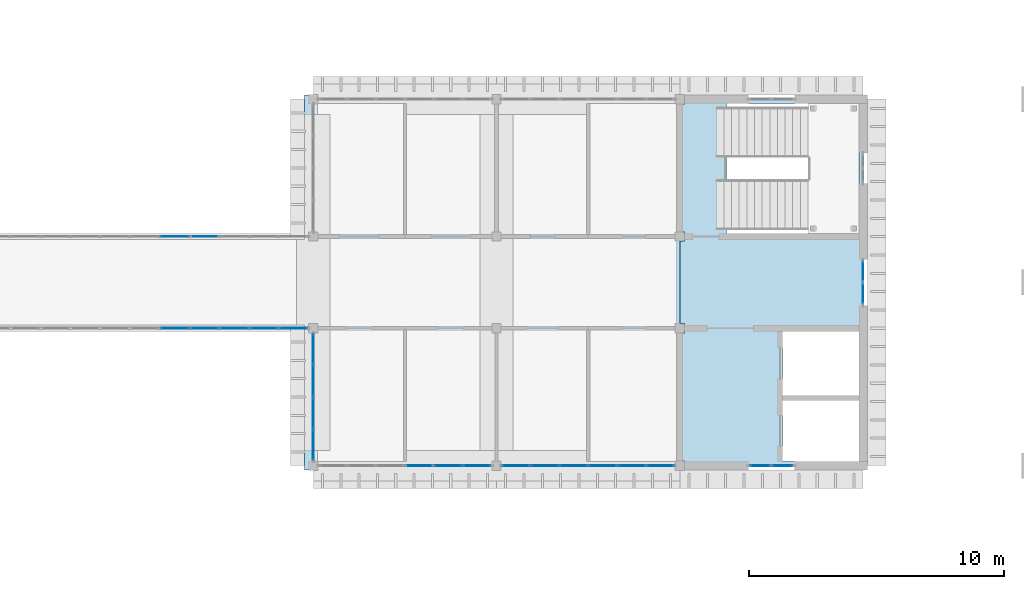
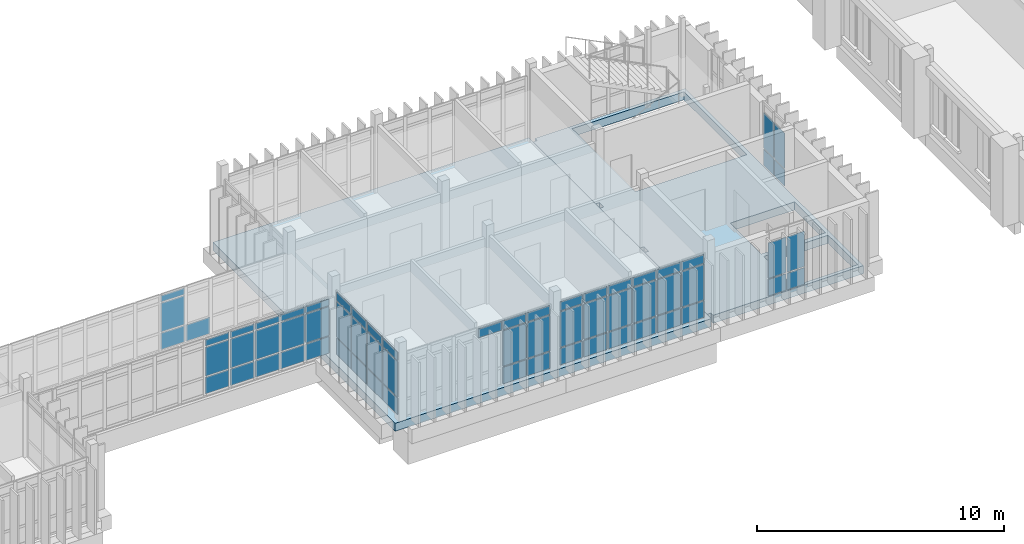
# One storey, part 33 of 69: 64 plates, 2 slabs, 7 elements without a shape of their own.
"""IFC4 building model written with IfcOpenShell, lengths in metres."""

import ifcopenshell
import ifcopenshell.guid

model = None  # the IFC model being written
_history = None  # IfcOwnerHistory: only IFC2X3 demands one
_inside = {}  # id of a spatial element -> (the spatial element, [elements in it])
_under = {}  # id of a project, library or spatial element -> (it, [spatial elements below it])
_declared = {}  # id of a project -> (the project, [libraries it declares])
_typed = {}  # id of a type object -> (the type object, [elements of that type])
_made_of = {}  # id of a material, layer set ... -> (it, [elements and type objects made of it])


def new_model(schema):
    """Start an empty IFC model of exactly this schema.

    Asked for "IFC4X3", IfcOpenShell would pick the latest addendum, in which some entities
    have other attributes; the version numbers below select the first issue.
    IFC2X3 requires an IfcOwnerHistory on every rooted entity: one is made here for all.
    """
    global model, _history
    if schema == "IFC4X3":
        model = ifcopenshell.file(schema_version=(4, 3, 0, 0))
    else:
        model = ifcopenshell.file(schema=schema)
    _inside.clear()
    _under.clear()
    _declared.clear()
    _typed.clear()
    _made_of.clear()
    _history = None
    if model.schema == "IFC2X3":
        org = make("IfcOrganization", Name="unknown")
        user = make(
            "IfcPersonAndOrganization",
            ThePerson=make("IfcPerson", FamilyName="unknown"),
            TheOrganization=org,
        )
        app = make(
            "IfcApplication",
            ApplicationDeveloper=org,
            Version="unknown",
            ApplicationFullName="unknown",
            ApplicationIdentifier="unknown",
        )
        _history = make(
            "IfcOwnerHistory",
            OwningUser=user,
            OwningApplication=app,
            ChangeAction="ADDED",
            CreationDate=0,
        )
    return model


def make(cls, **values):
    """One entity of the class cls with the attributes given. An attribute that is None is left unset."""
    return model.create_entity(
        cls, **{name: value for name, value in values.items() if value is not None}
    )


def rooted(cls, **values):
    """An entity with a GlobalId (a new one), such as an element, a storey or a relation."""
    return make(cls, GlobalId=ifcopenshell.guid.new(), OwnerHistory=_history, **values)


def si_unit(unit_type, name, prefix=None):
    """IfcSIUnit, for example si_unit("LENGTHUNIT", "METRE", prefix="MILLI")."""
    return make("IfcSIUnit", UnitType=unit_type, Prefix=prefix, Name=name)


def assignment(units):
    """IfcUnitAssignment: the units of a project."""
    return None if units is None else make("IfcUnitAssignment", Units=units)


def point(xyz):
    """IfcCartesianPoint."""
    return None if xyz is None else make("IfcCartesianPoint", Coordinates=xyz)


def direction(xyz):
    """IfcDirection."""
    return None if xyz is None else make("IfcDirection", DirectionRatios=xyz)


def frame(location, z_axis=None, x_axis=None):
    """IfcAxis2Placement3D, a coordinate frame: its origin and axes. An axis left out is left unset."""
    return make(
        "IfcAxis2Placement3D",
        Location=point(location),
        Axis=direction(z_axis),
        RefDirection=direction(x_axis),
    )


def frame_2d(location, x_axis=None):
    """IfcAxis2Placement2D, a coordinate frame in the plane: its origin and x axis."""
    return make(
        "IfcAxis2Placement2D", Location=point(location), RefDirection=direction(x_axis)
    )


def origin():
    """The frame at (0, 0, 0) with its axes left unset."""
    return frame((0.0, 0.0, 0.0))


def origin_2d():
    """The frame at (0, 0) in the plane with its x axis left unset."""
    return frame_2d((0.0, 0.0))


def place(relative_to, where):
    """IfcLocalPlacement: puts the frame where relative to a parent placement (None: the world)."""
    return make(
        "IfcLocalPlacement", PlacementRelTo=relative_to, RelativePlacement=where
    )


def context(
    kind, dimensions, precision=None, world=None, true_north=None, identifier=None
):
    """IfcGeometricRepresentationContext, for example the 3D "Model" context."""
    return make(
        "IfcGeometricRepresentationContext",
        ContextIdentifier=identifier,
        ContextType=kind,
        CoordinateSpaceDimension=dimensions,
        Precision=precision,
        WorldCoordinateSystem=world,
        TrueNorth=true_north,
    )


def subcontext(parent, identifier, kind, view, scale=None):
    """IfcGeometricRepresentationSubContext, for example "Body" below "Model"."""
    return make(
        "IfcGeometricRepresentationSubContext",
        ContextIdentifier=identifier,
        ContextType=kind,
        ParentContext=parent,
        TargetScale=scale,
        TargetView=view,
    )


def project(units=None, contexts=None):
    """IfcProject with its units and contexts."""
    return rooted(
        "IfcProject",
        Name="project",
        RepresentationContexts=contexts,
        UnitsInContext=assignment(units),
    )


def spatial(cls, under=None, at=None, **own):
    """A site, building, storey or space (cls), placed at a placement, below another one or the project."""
    s = rooted(cls, ObjectPlacement=at, **own)
    if under is not None:
        _under.setdefault(under.id(), (under, []))[1].append(s)
    return s


def polyline(points):
    """IfcPolyline through the points."""
    return make("IfcPolyline", Points=[point(p) for p in points])


def profile(cls, at=None, kind="AREA", **sizes):
    """A parametric profile (cls). Its sizes go by their IFC names, for example OverallWidth=200.0."""
    return make(cls, ProfileType=kind, Position=at, **sizes)


def rectangle(**sizes):
    """IfcRectangleProfileDef."""
    return profile("IfcRectangleProfileDef", **sizes)


def outline(outer, holes=None, kind="AREA"):
    """IfcArbitraryClosedProfileDef: a profile drawn as a closed curve; with holes, ...WithVoids."""
    if holes is None:
        return make("IfcArbitraryClosedProfileDef", ProfileType=kind, OuterCurve=outer)
    return make(
        "IfcArbitraryProfileDefWithVoids",
        ProfileType=kind,
        OuterCurve=outer,
        InnerCurves=holes,
    )


def extrude(swept, where, along, depth):
    """IfcExtrudedAreaSolid: the profile swept, set in the frame where, extruded along a direction by depth."""
    return make(
        "IfcExtrudedAreaSolid",
        SweptArea=swept,
        Position=where,
        ExtrudedDirection=direction(along),
        Depth=depth,
    )


def shape(context_of_items, identifier, shape_type, items):
    """IfcShapeRepresentation: the items that make up one representation, for example the "Body"."""
    return make(
        "IfcShapeRepresentation",
        ContextOfItems=context_of_items,
        RepresentationIdentifier=identifier,
        RepresentationType=shape_type,
        Items=items,
    )


def material(Name=None, Category=None):
    """IfcMaterial."""
    return make("IfcMaterial", Name=Name, Category=Category)


def layer(
    of_material, thickness, ventilated=None, Name=None, Category=None, Priority=None
):
    """IfcMaterialLayer: one layer of a wall or slab, of a material (None: an air gap)."""
    return make(
        "IfcMaterialLayer",
        Material=of_material,
        LayerThickness=thickness,
        IsVentilated=ventilated,
        Name=Name,
        Category=Category,
        Priority=Priority,
    )


def layer_set(layers, Name=None):
    """IfcMaterialLayerSet."""
    return make("IfcMaterialLayerSet", MaterialLayers=layers, LayerSetName=Name)


def made_of(thing, what):
    """Note that an element or type object is made of a material, layer set ...; save() writes the relation."""
    if what is not None:
        _made_of.setdefault(what.id(), (what, []))[1].append(thing)
    return thing


def type_object(cls, material=None, **own):
    """A type object (cls), such as IfcWallType, which elements share."""
    return made_of(rooted(cls, **own), material)


def element(
    cls,
    number,
    at=None,
    inside=None,
    cuts=None,
    type_object=None,
    material=None,
    context=None,
    identifier="Body",
    shape_type=None,
    held_by="IfcProductDefinitionShape",
    body=None,
    shapes=None,
    **own,
):
    """One element of the class cls, such as IfcWall. Its Tag is "e" and its number.

    at: its placement. inside: the storey or other place that contains it. cuts: it is an
    opening in that element (IfcRelVoidsElement). A single representation is given by context,
    identifier, shape_type and body (its items); several are given by shapes. held_by: the class
    of the entity that holds the representations. save() writes the other relations.
    """
    e = rooted(cls, Tag="e%d" % number, ObjectPlacement=at, **own)
    if body is not None:
        shapes = [shape(context, identifier, shape_type, body)]
    if shapes is not None:
        e.Representation = make(held_by, Representations=shapes)
    if inside is not None:
        _inside.setdefault(inside.id(), (inside, []))[1].append(e)
    if cuts is not None:
        rooted(
            "IfcRelVoidsElement", RelatingBuildingElement=cuts, RelatedOpeningElement=e
        )
    if type_object is not None:
        _typed.setdefault(type_object.id(), (type_object, []))[1].append(e)
    return made_of(e, material)


def aggregate(whole, parts):
    """IfcRelAggregates: a whole, such as a stair, and the parts it consists of."""
    return rooted("IfcRelAggregates", RelatingObject=whole, RelatedObjects=parts)


def save(model, path):
    """Write the relations noted so far, then the file.

    IfcRelAggregates (storeys below a building ...), IfcRelContainedInSpatialStructure (elements
    in a storey), IfcRelDefinesByType, IfcRelAssociatesMaterial and IfcRelDeclares: one each for
    every whole, place, type object, material and project.
    """
    for whole, parts in _under.values():
        aggregate(whole, parts)
    for where, things in _inside.values():
        rooted(
            "IfcRelContainedInSpatialStructure",
            RelatedElements=things,
            RelatingStructure=where,
        )
    for kind, things in _typed.values():
        rooted("IfcRelDefinesByType", RelatedObjects=things, RelatingType=kind)
    for what, things in _made_of.values():
        rooted("IfcRelAssociatesMaterial", RelatedObjects=things, RelatingMaterial=what)
    for by, libraries in _declared.values():
        rooted("IfcRelDeclares", RelatingContext=by, RelatedDefinitions=libraries)
    model.write(path)


model = new_model("IFC4")

# Units and contexts
model_context = context("Model", 3, precision=1e-05, world=origin(), true_north=direction((0.0, 1.0)))
body_context = subcontext(model_context, "Body", "Model", "MODEL_VIEW")
ifc_project = project(units=[si_unit("LENGTHUNIT", "METRE"), si_unit("AREAUNIT", "SQUARE_METRE"), si_unit("VOLUMEUNIT", "CUBIC_METRE"), si_unit("PLANEANGLEUNIT", "RADIAN"), si_unit("MASSUNIT", "GRAM", prefix="KILO")], contexts=[model_context])

# Site, building, storey
site_placement = place(None, origin())
site = spatial("IfcSite", under=ifc_project, at=site_placement, CompositionType="ELEMENT")
building_placement = place(site_placement, origin())
building = spatial("IfcBuilding", under=site, at=building_placement, Name="Mazhai Court Health Centre", CompositionType="ELEMENT")
storey_placement = place(building_placement, frame((0.0, 0.0, 6.300048828125)))
storey = spatial("IfcBuildingStorey", under=building, at=storey_placement, Name="L01", CompositionType="ELEMENT", Elevation=6.300048828125)

# Curtain wall, plates
ifc_material_1 = material(Name="Teak timber frame, glazed", Category="wood")
ifc_layer_1 = layer(ifc_material_1, 0.10009765625)
ifc_layer_set_1 = layer_set([ifc_layer_1], Name="CURTAIN WALL TIMBER 900")
curtain_wall_type_1 = type_object("IfcCurtainWallType", Name="CURTAIN WALL TIMBER 900", PredefinedType="NOTDEFINED", material=ifc_layer_set_1)
curtain_wall_1_placement = place(storey_placement, origin())
curtain_wall_1 = element("IfcCurtainWall", 1, at=curtain_wall_1_placement, inside=storey, type_object=curtain_wall_type_1, Name="CW-V4-L01-A7", PredefinedType="NOTDEFINED")
ifc_material_2 = material(Name="Glass IGU 28 mm", Category="glass")
ifc_layer_2 = layer(ifc_material_2, 0.028076171875)
ifc_layer_set_2 = layer_set([ifc_layer_2], Name="CW PANEL IGU 28")
plate_type = type_object("IfcPlateType", Name="CW PANEL IGU 28", PredefinedType="CURTAIN_PANEL", material=ifc_layer_set_2)
plate_1_placement = place(storey_placement, frame((125.43505859375, 13.39990234375, 0.059814453125), z_axis=(0.0, 0.0, 1.0), x_axis=(-1.0, 0.0, 0.0)))
plate_1 = element("IfcPlate", 2, at=plate_1_placement, type_object=plate_type, Name="CW panel 1.1", PredefinedType="CURTAIN_PANEL", context=body_context, shape_type="SweptSolid", body=[
    extrude(rectangle(XDim=0.81005859375, YDim=0.028076171875, at=origin_2d()), origin(), (0.0, 0.0, 1.0), 0.81005859375),
])
plate_2_placement = place(storey_placement, frame((125.43505859375, 13.39990234375, 0.93017578125), z_axis=(0.0, 0.0, 1.0), x_axis=(-1.0, 0.0, 0.0)))
plate_2 = element("IfcPlate", 3, at=plate_2_placement, type_object=plate_type, Name="CW panel 1.2", PredefinedType="CURTAIN_PANEL", context=body_context, shape_type="SweptSolid", body=[
    extrude(rectangle(XDim=0.81005859375, YDim=0.028076171875, at=origin_2d()), origin(), (0.0, 0.0, 1.0), 1.739990234375),
])
plate_3_placement = place(storey_placement, frame((124.56494140625, 13.39990234375, 0.059814453125), z_axis=(0.0, 0.0, 1.0), x_axis=(-1.0, 0.0, 0.0)))
plate_3 = element("IfcPlate", 4, at=plate_3_placement, type_object=plate_type, Name="CW panel 2.1", PredefinedType="CURTAIN_PANEL", context=body_context, shape_type="SweptSolid", body=[
    extrude(rectangle(XDim=0.81005859375, YDim=0.028076171875, at=origin_2d()), origin(), (0.0, 0.0, 1.0), 0.81005859375),
])
plate_4_placement = place(storey_placement, frame((124.56494140625, 13.39990234375, 0.93017578125), z_axis=(0.0, 0.0, 1.0), x_axis=(-1.0, 0.0, 0.0)))
plate_4 = element("IfcPlate", 5, at=plate_4_placement, type_object=plate_type, Name="CW panel 2.2", PredefinedType="CURTAIN_PANEL", context=body_context, shape_type="SweptSolid", body=[
    extrude(rectangle(XDim=0.81005859375, YDim=0.028076171875, at=origin_2d()), origin(), (0.0, 0.0, 1.0), 1.739990234375),
])
aggregate(curtain_wall_1, [plate_1, plate_2, plate_3, plate_4])

curtain_wall_2_placement = place(storey_placement, origin())
curtain_wall_2 = element("IfcCurtainWall", 6, at=curtain_wall_2_placement, inside=storey, type_object=curtain_wall_type_1, Name="CW-V4-L01-ELIFT0", PredefinedType="NOTDEFINED")
plate_5_placement = place(storey_placement, frame((128.60009765625, 21.034912109375, 0.059814453125), z_axis=(0.0, 0.0, 1.0), x_axis=(0.0, -1.0, 0.0)))
plate_5 = element("IfcPlate", 7, at=plate_5_placement, type_object=plate_type, Name="CW panel 1.1", PredefinedType="CURTAIN_PANEL", context=body_context, shape_type="SweptSolid", body=[
    extrude(rectangle(XDim=0.81005859375, YDim=0.028076171875, at=origin_2d()), origin(), (0.0, 0.0, 1.0), 0.81005859375),
])
plate_6_placement = place(storey_placement, frame((128.60009765625, 21.034912109375, 0.93017578125), z_axis=(0.0, 0.0, 1.0), x_axis=(0.0, -1.0, 0.0)))
plate_6 = element("IfcPlate", 8, at=plate_6_placement, type_object=plate_type, Name="CW panel 1.2", PredefinedType="CURTAIN_PANEL", context=body_context, shape_type="SweptSolid", body=[
    extrude(rectangle(XDim=0.81005859375, YDim=0.028076171875, at=origin_2d()), origin(), (0.0, 0.0, 1.0), 1.739990234375),
])
plate_7_placement = place(storey_placement, frame((128.60009765625, 20.1650390625, 0.059814453125), z_axis=(0.0, 0.0, 1.0), x_axis=(0.0, -1.0, 0.0)))
plate_7 = element("IfcPlate", 9, at=plate_7_placement, type_object=plate_type, Name="CW panel 2.1", PredefinedType="CURTAIN_PANEL", context=body_context, shape_type="SweptSolid", body=[
    extrude(rectangle(XDim=0.81005859375, YDim=0.028076171875, at=origin_2d()), origin(), (0.0, 0.0, 1.0), 0.81005859375),
])
plate_8_placement = place(storey_placement, frame((128.60009765625, 20.1650390625, 0.93017578125), z_axis=(0.0, 0.0, 1.0), x_axis=(0.0, -1.0, 0.0)))
plate_8 = element("IfcPlate", 10, at=plate_8_placement, type_object=plate_type, Name="CW panel 2.2", PredefinedType="CURTAIN_PANEL", context=body_context, shape_type="SweptSolid", body=[
    extrude(rectangle(XDim=0.81005859375, YDim=0.028076171875, at=origin_2d()), origin(), (0.0, 0.0, 1.0), 1.739990234375),
])
aggregate(curtain_wall_2, [plate_5, plate_6, plate_7, plate_8])

ifc_material_3 = material(Name="Teak timber frame, glazed", Category="wood")
ifc_layer_3 = layer(ifc_material_3, 0.10009765625)
ifc_layer_set_3 = layer_set([ifc_layer_3], Name="CURTAIN WALL TIMBER 1200")
curtain_wall_type_2 = type_object("IfcCurtainWallType", Name="CURTAIN WALL TIMBER 1200", PredefinedType="NOTDEFINED", material=ifc_layer_set_3)
curtain_wall_3_placement = place(storey_placement, origin())
curtain_wall_3 = element("IfcCurtainWall", 11, at=curtain_wall_3_placement, inside=storey, type_object=curtain_wall_type_2, Name="CW-V4-L01-A5", PredefinedType="NOTDEFINED")
plate_9_placement = place(storey_placement, frame((113.43505859375, 13.39990234375, 0.059814453125), z_axis=(0.0, 0.0, 1.0), x_axis=(-1.0, 0.0, 0.0)))
plate_9 = element("IfcPlate", 12, at=plate_9_placement, type_object=plate_type, Name="CW panel 1.1", PredefinedType="CURTAIN_PANEL", context=body_context, shape_type="SweptSolid", body=[
    extrude(rectangle(XDim=1.050048828125, YDim=0.028076171875, at=origin_2d()), origin(), (0.0, 0.0, 1.0), 0.81005859375),
])
plate_10_placement = place(storey_placement, frame((113.43505859375, 13.39990234375, 0.93017578125), z_axis=(0.0, 0.0, 1.0), x_axis=(-1.0, 0.0, 0.0)))
plate_10 = element("IfcPlate", 13, at=plate_10_placement, type_object=plate_type, Name="CW panel 1.2", PredefinedType="CURTAIN_PANEL", context=body_context, shape_type="SweptSolid", body=[
    extrude(rectangle(XDim=1.050048828125, YDim=0.028076171875, at=origin_2d()), origin(), (0.0, 0.0, 1.0), 1.739990234375),
])
plate_11_placement = place(storey_placement, frame((113.43505859375, 13.39990234375, 2.72998046875), z_axis=(0.0, 0.0, 1.0), x_axis=(-1.0, 0.0, 0.0)))
plate_11 = element("IfcPlate", 14, at=plate_11_placement, type_object=plate_type, Name="CW panel 1.3", PredefinedType="CURTAIN_PANEL", context=body_context, shape_type="SweptSolid", body=[
    extrude(rectangle(XDim=1.050048828125, YDim=0.028076171875, at=origin_2d()), origin(), (0.0, 0.0, 1.0), 0.429931640625),
])
plate_12_placement = place(storey_placement, frame((112.31005859375, 13.39990234375, 0.059814453125), z_axis=(0.0, 0.0, 1.0), x_axis=(-1.0, 0.0, 0.0)))
plate_12 = element("IfcPlate", 15, at=plate_12_placement, type_object=plate_type, Name="CW panel 2.1", PredefinedType="CURTAIN_PANEL", context=body_context, shape_type="SweptSolid", body=[
    extrude(rectangle(XDim=1.080078125, YDim=0.028076171875, at=origin_2d()), origin(), (0.0, 0.0, 1.0), 0.81005859375),
])
plate_13_placement = place(storey_placement, frame((112.31005859375, 13.39990234375, 0.93017578125), z_axis=(0.0, 0.0, 1.0), x_axis=(-1.0, 0.0, 0.0)))
plate_13 = element("IfcPlate", 16, at=plate_13_placement, type_object=plate_type, Name="CW panel 2.2", PredefinedType="CURTAIN_PANEL", context=body_context, shape_type="SweptSolid", body=[
    extrude(rectangle(XDim=1.080078125, YDim=0.028076171875, at=origin_2d()), origin(), (0.0, 0.0, 1.0), 1.739990234375),
])
plate_14_placement = place(storey_placement, frame((112.31005859375, 13.39990234375, 2.72998046875), z_axis=(0.0, 0.0, 1.0), x_axis=(-1.0, 0.0, 0.0)))
plate_14 = element("IfcPlate", 17, at=plate_14_placement, type_object=plate_type, Name="CW panel 2.3", PredefinedType="CURTAIN_PANEL", context=body_context, shape_type="SweptSolid", body=[
    extrude(rectangle(XDim=1.080078125, YDim=0.028076171875, at=origin_2d()), origin(), (0.0, 0.0, 1.0), 0.429931640625),
])
plate_15_placement = place(storey_placement, frame((111.169921875, 13.39990234375, 2.72998046875), z_axis=(0.0, 0.0, 1.0), x_axis=(-1.0, 0.0, 0.0)))
plate_15 = element("IfcPlate", 18, at=plate_15_placement, type_object=plate_type, Name="CW panel 3.3", PredefinedType="CURTAIN_PANEL", context=body_context, shape_type="SweptSolid", body=[
    extrude(rectangle(XDim=1.080078125, YDim=0.028076171875, at=origin_2d()), origin(), (0.0, 0.0, 1.0), 0.429931640625),
])
aggregate(curtain_wall_3, [plate_9, plate_10, plate_11, plate_12, plate_13, plate_14, plate_15])

curtain_wall_4_placement = place(storey_placement, origin())
curtain_wall_4 = element("IfcCurtainWall", 19, at=curtain_wall_4_placement, inside=storey, type_object=curtain_wall_type_2, Name="CW-V4-L01-A6", PredefinedType="NOTDEFINED")
plate_16_placement = place(storey_placement, frame((120.635009765625, 13.39990234375, 0.059814453125), z_axis=(0.0, 0.0, 1.0), x_axis=(-1.0, 0.0, 0.0)))
plate_16 = element("IfcPlate", 20, at=plate_16_placement, type_object=plate_type, Name="CW panel 1.1", PredefinedType="CURTAIN_PANEL", context=body_context, shape_type="SweptSolid", body=[
    extrude(rectangle(XDim=1.050048828125, YDim=0.028076171875, at=origin_2d()), origin(), (0.0, 0.0, 1.0), 0.81005859375),
])
plate_17_placement = place(storey_placement, frame((120.635009765625, 13.39990234375, 0.93017578125), z_axis=(0.0, 0.0, 1.0), x_axis=(-1.0, 0.0, 0.0)))
plate_17 = element("IfcPlate", 21, at=plate_17_placement, type_object=plate_type, Name="CW panel 1.2", PredefinedType="CURTAIN_PANEL", context=body_context, shape_type="SweptSolid", body=[
    extrude(rectangle(XDim=1.050048828125, YDim=0.028076171875, at=origin_2d()), origin(), (0.0, 0.0, 1.0), 1.739990234375),
])
plate_18_placement = place(storey_placement, frame((120.635009765625, 13.39990234375, 2.72998046875), z_axis=(0.0, 0.0, 1.0), x_axis=(-1.0, 0.0, 0.0)))
plate_18 = element("IfcPlate", 22, at=plate_18_placement, type_object=plate_type, Name="CW panel 1.3", PredefinedType="CURTAIN_PANEL", context=body_context, shape_type="SweptSolid", body=[
    extrude(rectangle(XDim=1.050048828125, YDim=0.028076171875, at=origin_2d()), origin(), (0.0, 0.0, 1.0), 0.429931640625),
])
plate_19_placement = place(storey_placement, frame((119.510009765625, 13.39990234375, 0.059814453125), z_axis=(0.0, 0.0, 1.0), x_axis=(-1.0, 0.0, 0.0)))
plate_19 = element("IfcPlate", 23, at=plate_19_placement, type_object=plate_type, Name="CW panel 2.1", PredefinedType="CURTAIN_PANEL", context=body_context, shape_type="SweptSolid", body=[
    extrude(rectangle(XDim=1.080078125, YDim=0.028076171875, at=origin_2d()), origin(), (0.0, 0.0, 1.0), 0.81005859375),
])
plate_20_placement = place(storey_placement, frame((119.510009765625, 13.39990234375, 0.93017578125), z_axis=(0.0, 0.0, 1.0), x_axis=(-1.0, 0.0, 0.0)))
plate_20 = element("IfcPlate", 24, at=plate_20_placement, type_object=plate_type, Name="CW panel 2.2", PredefinedType="CURTAIN_PANEL", context=body_context, shape_type="SweptSolid", body=[
    extrude(rectangle(XDim=1.080078125, YDim=0.028076171875, at=origin_2d()), origin(), (0.0, 0.0, 1.0), 1.739990234375),
])
plate_21_placement = place(storey_placement, frame((119.510009765625, 13.39990234375, 2.72998046875), z_axis=(0.0, 0.0, 1.0), x_axis=(-1.0, 0.0, 0.0)))
plate_21 = element("IfcPlate", 25, at=plate_21_placement, type_object=plate_type, Name="CW panel 2.3", PredefinedType="CURTAIN_PANEL", context=body_context, shape_type="SweptSolid", body=[
    extrude(rectangle(XDim=1.080078125, YDim=0.028076171875, at=origin_2d()), origin(), (0.0, 0.0, 1.0), 0.429931640625),
])
plate_22_placement = place(storey_placement, frame((118.3701171875, 13.39990234375, 0.059814453125), z_axis=(0.0, 0.0, 1.0), x_axis=(-1.0, 0.0, 0.0)))
plate_22 = element("IfcPlate", 26, at=plate_22_placement, type_object=plate_type, Name="CW panel 3.1", PredefinedType="CURTAIN_PANEL", context=body_context, shape_type="SweptSolid", body=[
    extrude(rectangle(XDim=1.080078125, YDim=0.028076171875, at=origin_2d()), origin(), (0.0, 0.0, 1.0), 0.81005859375),
])
plate_23_placement = place(storey_placement, frame((118.3701171875, 13.39990234375, 0.93017578125), z_axis=(0.0, 0.0, 1.0), x_axis=(-1.0, 0.0, 0.0)))
plate_23 = element("IfcPlate", 27, at=plate_23_placement, type_object=plate_type, Name="CW panel 3.2", PredefinedType="CURTAIN_PANEL", context=body_context, shape_type="SweptSolid", body=[
    extrude(rectangle(XDim=1.080078125, YDim=0.028076171875, at=origin_2d()), origin(), (0.0, 0.0, 1.0), 1.739990234375),
])
plate_24_placement = place(storey_placement, frame((118.3701171875, 13.39990234375, 2.72998046875), z_axis=(0.0, 0.0, 1.0), x_axis=(-1.0, 0.0, 0.0)))
plate_24 = element("IfcPlate", 28, at=plate_24_placement, type_object=plate_type, Name="CW panel 3.3", PredefinedType="CURTAIN_PANEL", context=body_context, shape_type="SweptSolid", body=[
    extrude(rectangle(XDim=1.080078125, YDim=0.028076171875, at=origin_2d()), origin(), (0.0, 0.0, 1.0), 0.429931640625),
])
plate_25_placement = place(storey_placement, frame((117.22998046875, 13.39990234375, 0.059814453125), z_axis=(0.0, 0.0, 1.0), x_axis=(-1.0, 0.0, 0.0)))
plate_25 = element("IfcPlate", 29, at=plate_25_placement, type_object=plate_type, Name="CW panel 4.1", PredefinedType="CURTAIN_PANEL", context=body_context, shape_type="SweptSolid", body=[
    extrude(rectangle(XDim=1.080078125, YDim=0.028076171875, at=origin_2d()), origin(), (0.0, 0.0, 1.0), 0.81005859375),
])
plate_26_placement = place(storey_placement, frame((117.22998046875, 13.39990234375, 0.93017578125), z_axis=(0.0, 0.0, 1.0), x_axis=(-1.0, 0.0, 0.0)))
plate_26 = element("IfcPlate", 30, at=plate_26_placement, type_object=plate_type, Name="CW panel 4.2", PredefinedType="CURTAIN_PANEL", context=body_context, shape_type="SweptSolid", body=[
    extrude(rectangle(XDim=1.080078125, YDim=0.028076171875, at=origin_2d()), origin(), (0.0, 0.0, 1.0), 1.739990234375),
])
plate_27_placement = place(storey_placement, frame((117.22998046875, 13.39990234375, 2.72998046875), z_axis=(0.0, 0.0, 1.0), x_axis=(-1.0, 0.0, 0.0)))
plate_27 = element("IfcPlate", 31, at=plate_27_placement, type_object=plate_type, Name="CW panel 4.3", PredefinedType="CURTAIN_PANEL", context=body_context, shape_type="SweptSolid", body=[
    extrude(rectangle(XDim=1.080078125, YDim=0.028076171875, at=origin_2d()), origin(), (0.0, 0.0, 1.0), 0.429931640625),
])
plate_28_placement = place(storey_placement, frame((116.090087890625, 13.39990234375, 0.059814453125), z_axis=(0.0, 0.0, 1.0), x_axis=(-1.0, 0.0, 0.0)))
plate_28 = element("IfcPlate", 32, at=plate_28_placement, type_object=plate_type, Name="CW panel 5.1", PredefinedType="CURTAIN_PANEL", context=body_context, shape_type="SweptSolid", body=[
    extrude(rectangle(XDim=1.080078125, YDim=0.028076171875, at=origin_2d()), origin(), (0.0, 0.0, 1.0), 0.81005859375),
])
plate_29_placement = place(storey_placement, frame((116.090087890625, 13.39990234375, 0.93017578125), z_axis=(0.0, 0.0, 1.0), x_axis=(-1.0, 0.0, 0.0)))
plate_29 = element("IfcPlate", 33, at=plate_29_placement, type_object=plate_type, Name="CW panel 5.2", PredefinedType="CURTAIN_PANEL", context=body_context, shape_type="SweptSolid", body=[
    extrude(rectangle(XDim=1.080078125, YDim=0.028076171875, at=origin_2d()), origin(), (0.0, 0.0, 1.0), 1.739990234375),
])
plate_30_placement = place(storey_placement, frame((116.090087890625, 13.39990234375, 2.72998046875), z_axis=(0.0, 0.0, 1.0), x_axis=(-1.0, 0.0, 0.0)))
plate_30 = element("IfcPlate", 34, at=plate_30_placement, type_object=plate_type, Name="CW panel 5.3", PredefinedType="CURTAIN_PANEL", context=body_context, shape_type="SweptSolid", body=[
    extrude(rectangle(XDim=1.080078125, YDim=0.028076171875, at=origin_2d()), origin(), (0.0, 0.0, 1.0), 0.429931640625),
])
plate_31_placement = place(storey_placement, frame((114.965087890625, 13.39990234375, 0.059814453125), z_axis=(0.0, 0.0, 1.0), x_axis=(-1.0, 0.0, 0.0)))
plate_31 = element("IfcPlate", 35, at=plate_31_placement, type_object=plate_type, Name="CW panel 6.1", PredefinedType="CURTAIN_PANEL", context=body_context, shape_type="SweptSolid", body=[
    extrude(rectangle(XDim=1.050048828125, YDim=0.028076171875, at=origin_2d()), origin(), (0.0, 0.0, 1.0), 0.81005859375),
])
plate_32_placement = place(storey_placement, frame((114.965087890625, 13.39990234375, 0.93017578125), z_axis=(0.0, 0.0, 1.0), x_axis=(-1.0, 0.0, 0.0)))
plate_32 = element("IfcPlate", 36, at=plate_32_placement, type_object=plate_type, Name="CW panel 6.2", PredefinedType="CURTAIN_PANEL", context=body_context, shape_type="SweptSolid", body=[
    extrude(rectangle(XDim=1.050048828125, YDim=0.028076171875, at=origin_2d()), origin(), (0.0, 0.0, 1.0), 1.739990234375),
])
plate_33_placement = place(storey_placement, frame((114.965087890625, 13.39990234375, 2.72998046875), z_axis=(0.0, 0.0, 1.0), x_axis=(-1.0, 0.0, 0.0)))
plate_33 = element("IfcPlate", 37, at=plate_33_placement, type_object=plate_type, Name="CW panel 6.3", PredefinedType="CURTAIN_PANEL", context=body_context, shape_type="SweptSolid", body=[
    extrude(rectangle(XDim=1.050048828125, YDim=0.028076171875, at=origin_2d()), origin(), (0.0, 0.0, 1.0), 0.429931640625),
])
aggregate(curtain_wall_4, [plate_16, plate_17, plate_18, plate_19, plate_20, plate_21, plate_22, plate_23, plate_24, plate_25, plate_26, plate_27, plate_28, plate_29, plate_30, plate_31, plate_32, plate_33])

curtain_wall_5_placement = place(storey_placement, origin())
curtain_wall_5 = element("IfcCurtainWall", 38, at=curtain_wall_5_placement, inside=storey, type_object=curtain_wall_type_2, Name="CW-V4-L01-CW5-0", PredefinedType="NOTDEFINED")
plate_34_placement = place(storey_placement, frame((107.0, 14.22509765625, 0.059814453125), z_axis=(0.0, 0.0, 1.0), x_axis=(0.0, 1.0, 0.0)))
plate_34 = element("IfcPlate", 39, at=plate_34_placement, type_object=plate_type, Name="CW panel 1.1", PredefinedType="CURTAIN_PANEL", context=body_context, shape_type="SweptSolid", body=[
    extrude(rectangle(XDim=1.169921875, YDim=0.028076171875, at=origin_2d()), origin(), (0.0, 0.0, 1.0), 0.81005859375),
])
plate_35_placement = place(storey_placement, frame((107.0, 14.22509765625, 0.93017578125), z_axis=(0.0, 0.0, 1.0), x_axis=(0.0, 1.0, 0.0)))
plate_35 = element("IfcPlate", 40, at=plate_35_placement, type_object=plate_type, Name="CW panel 1.2", PredefinedType="CURTAIN_PANEL", context=body_context, shape_type="SweptSolid", body=[
    extrude(rectangle(XDim=1.169921875, YDim=0.028076171875, at=origin_2d()), origin(), (0.0, 0.0, 1.0), 1.739990234375),
])
plate_36_placement = place(storey_placement, frame((107.0, 14.22509765625, 2.72998046875), z_axis=(0.0, 0.0, 1.0), x_axis=(0.0, 1.0, 0.0)))
plate_36 = element("IfcPlate", 41, at=plate_36_placement, type_object=plate_type, Name="CW panel 1.3", PredefinedType="CURTAIN_PANEL", context=body_context, shape_type="SweptSolid", body=[
    extrude(rectangle(XDim=1.169921875, YDim=0.028076171875, at=origin_2d()), origin(), (0.0, 0.0, 1.0), 0.409912109375),
])
plate_37_placement = place(storey_placement, frame((107.0, 15.469970703125, 0.059814453125), z_axis=(0.0, 0.0, 1.0), x_axis=(0.0, 1.0, 0.0)))
plate_37 = element("IfcPlate", 42, at=plate_37_placement, type_object=plate_type, Name="CW panel 2.1", PredefinedType="CURTAIN_PANEL", context=body_context, shape_type="SweptSolid", body=[
    extrude(rectangle(XDim=1.199951171875, YDim=0.028076171875, at=origin_2d()), origin(), (0.0, 0.0, 1.0), 0.81005859375),
])
plate_38_placement = place(storey_placement, frame((107.0, 15.469970703125, 0.93017578125), z_axis=(0.0, 0.0, 1.0), x_axis=(0.0, 1.0, 0.0)))
plate_38 = element("IfcPlate", 43, at=plate_38_placement, type_object=plate_type, Name="CW panel 2.2", PredefinedType="CURTAIN_PANEL", context=body_context, shape_type="SweptSolid", body=[
    extrude(rectangle(XDim=1.199951171875, YDim=0.028076171875, at=origin_2d()), origin(), (0.0, 0.0, 1.0), 1.739990234375),
])
plate_39_placement = place(storey_placement, frame((107.0, 15.469970703125, 2.72998046875), z_axis=(0.0, 0.0, 1.0), x_axis=(0.0, 1.0, 0.0)))
plate_39 = element("IfcPlate", 44, at=plate_39_placement, type_object=plate_type, Name="CW panel 2.3", PredefinedType="CURTAIN_PANEL", context=body_context, shape_type="SweptSolid", body=[
    extrude(rectangle(XDim=1.199951171875, YDim=0.028076171875, at=origin_2d()), origin(), (0.0, 0.0, 1.0), 0.409912109375),
])
plate_40_placement = place(storey_placement, frame((107.0, 16.72998046875, 0.059814453125), z_axis=(0.0, 0.0, 1.0), x_axis=(0.0, 1.0, 0.0)))
plate_40 = element("IfcPlate", 45, at=plate_40_placement, type_object=plate_type, Name="CW panel 3.1", PredefinedType="CURTAIN_PANEL", context=body_context, shape_type="SweptSolid", body=[
    extrude(rectangle(XDim=1.199951171875, YDim=0.028076171875, at=origin_2d()), origin(), (0.0, 0.0, 1.0), 0.81005859375),
])
plate_41_placement = place(storey_placement, frame((107.0, 16.72998046875, 0.93017578125), z_axis=(0.0, 0.0, 1.0), x_axis=(0.0, 1.0, 0.0)))
plate_41 = element("IfcPlate", 46, at=plate_41_placement, type_object=plate_type, Name="CW panel 3.2", PredefinedType="CURTAIN_PANEL", context=body_context, shape_type="SweptSolid", body=[
    extrude(rectangle(XDim=1.199951171875, YDim=0.028076171875, at=origin_2d()), origin(), (0.0, 0.0, 1.0), 1.739990234375),
])
plate_42_placement = place(storey_placement, frame((107.0, 16.72998046875, 2.72998046875), z_axis=(0.0, 0.0, 1.0), x_axis=(0.0, 1.0, 0.0)))
plate_42 = element("IfcPlate", 47, at=plate_42_placement, type_object=plate_type, Name="CW panel 3.3", PredefinedType="CURTAIN_PANEL", context=body_context, shape_type="SweptSolid", body=[
    extrude(rectangle(XDim=1.199951171875, YDim=0.028076171875, at=origin_2d()), origin(), (0.0, 0.0, 1.0), 0.409912109375),
])
plate_43_placement = place(storey_placement, frame((107.0, 17.97509765625, 0.059814453125), z_axis=(0.0, 0.0, 1.0), x_axis=(0.0, 1.0, 0.0)))
plate_43 = element("IfcPlate", 48, at=plate_43_placement, type_object=plate_type, Name="CW panel 4.1", PredefinedType="CURTAIN_PANEL", context=body_context, shape_type="SweptSolid", body=[
    extrude(rectangle(XDim=1.169921875, YDim=0.028076171875, at=origin_2d()), origin(), (0.0, 0.0, 1.0), 0.81005859375),
])
plate_44_placement = place(storey_placement, frame((107.0, 17.97509765625, 0.93017578125), z_axis=(0.0, 0.0, 1.0), x_axis=(0.0, 1.0, 0.0)))
plate_44 = element("IfcPlate", 49, at=plate_44_placement, type_object=plate_type, Name="CW panel 4.2", PredefinedType="CURTAIN_PANEL", context=body_context, shape_type="SweptSolid", body=[
    extrude(rectangle(XDim=1.169921875, YDim=0.028076171875, at=origin_2d()), origin(), (0.0, 0.0, 1.0), 1.739990234375),
])
plate_45_placement = place(storey_placement, frame((107.0, 17.97509765625, 2.72998046875), z_axis=(0.0, 0.0, 1.0), x_axis=(0.0, 1.0, 0.0)))
plate_45 = element("IfcPlate", 50, at=plate_45_placement, type_object=plate_type, Name="CW panel 4.3", PredefinedType="CURTAIN_PANEL", context=body_context, shape_type="SweptSolid", body=[
    extrude(rectangle(XDim=1.169921875, YDim=0.028076171875, at=origin_2d()), origin(), (0.0, 0.0, 1.0), 0.409912109375),
])
aggregate(curtain_wall_5, [plate_34, plate_35, plate_36, plate_37, plate_38, plate_39, plate_40, plate_41, plate_42, plate_43, plate_44, plate_45])

curtain_wall_6_placement = place(storey_placement, origin())
curtain_wall_6 = element("IfcCurtainWall", 51, at=curtain_wall_6_placement, inside=storey, type_object=curtain_wall_type_2, Name="CW-BR-LC1-S", PredefinedType="NOTDEFINED")
plate_46_placement = place(storey_placement, frame((101.554931640625, 18.800048828125, 0.059814453125), z_axis=(0.0, 0.0, 1.0), x_axis=(1.0, 0.0, 0.0)))
plate_46 = element("IfcPlate", 52, at=plate_46_placement, type_object=plate_type, Name="CW panel 8.1", PredefinedType="CURTAIN_PANEL", context=body_context, shape_type="SweptSolid", body=[
    extrude(rectangle(XDim=1.110107421875, YDim=0.028076171875, at=origin_2d()), origin(), (0.0, 0.0, 1.0), 0.81005859375),
])
plate_47_placement = place(storey_placement, frame((101.554931640625, 18.800048828125, 0.929931640625), z_axis=(0.0, 0.0, 1.0), x_axis=(1.0, 0.0, 0.0)))
plate_47 = element("IfcPlate", 53, at=plate_47_placement, type_object=plate_type, Name="CW panel 8.2", PredefinedType="CURTAIN_PANEL", context=body_context, shape_type="SweptSolid", body=[
    extrude(rectangle(XDim=1.110107421875, YDim=0.028076171875, at=origin_2d()), origin(), (0.0, 0.0, 1.0), 1.419921875),
])
plate_48_placement = place(storey_placement, frame((101.554931640625, 18.800048828125, 2.409912109375), z_axis=(0.0, 0.0, 1.0), x_axis=(1.0, 0.0, 0.0)))
plate_48 = element("IfcPlate", 54, at=plate_48_placement, type_object=plate_type, Name="CW panel 8.3", PredefinedType="CURTAIN_PANEL", context=body_context, shape_type="SweptSolid", body=[
    extrude(rectangle(XDim=1.110107421875, YDim=0.028076171875, at=origin_2d()), origin(), (0.0, 0.0, 1.0), 0.31005859375),
])
plate_49_placement = place(storey_placement, frame((102.72509765625, 18.800048828125, 0.059814453125), z_axis=(0.0, 0.0, 1.0), x_axis=(1.0, 0.0, 0.0)))
plate_49 = element("IfcPlate", 55, at=plate_49_placement, type_object=plate_type, Name="CW panel 9.1", PredefinedType="CURTAIN_PANEL", context=body_context, shape_type="SweptSolid", body=[
    extrude(rectangle(XDim=1.110107421875, YDim=0.028076171875, at=origin_2d()), origin(), (0.0, 0.0, 1.0), 0.81005859375),
])
plate_50_placement = place(storey_placement, frame((102.72509765625, 18.800048828125, 0.929931640625), z_axis=(0.0, 0.0, 1.0), x_axis=(1.0, 0.0, 0.0)))
plate_50 = element("IfcPlate", 56, at=plate_50_placement, type_object=plate_type, Name="CW panel 9.2", PredefinedType="CURTAIN_PANEL", context=body_context, shape_type="SweptSolid", body=[
    extrude(rectangle(XDim=1.110107421875, YDim=0.028076171875, at=origin_2d()), origin(), (0.0, 0.0, 1.0), 1.419921875),
])
plate_51_placement = place(storey_placement, frame((102.72509765625, 18.800048828125, 2.409912109375), z_axis=(0.0, 0.0, 1.0), x_axis=(1.0, 0.0, 0.0)))
plate_51 = element("IfcPlate", 57, at=plate_51_placement, type_object=plate_type, Name="CW panel 9.3", PredefinedType="CURTAIN_PANEL", context=body_context, shape_type="SweptSolid", body=[
    extrude(rectangle(XDim=1.110107421875, YDim=0.028076171875, at=origin_2d()), origin(), (0.0, 0.0, 1.0), 0.31005859375),
])
plate_52_placement = place(storey_placement, frame((103.89501953125, 18.800048828125, 0.059814453125), z_axis=(0.0, 0.0, 1.0), x_axis=(1.0, 0.0, 0.0)))
plate_52 = element("IfcPlate", 58, at=plate_52_placement, type_object=plate_type, Name="CW panel 10.1", PredefinedType="CURTAIN_PANEL", context=body_context, shape_type="SweptSolid", body=[
    extrude(rectangle(XDim=1.110107421875, YDim=0.028076171875, at=origin_2d()), origin(), (0.0, 0.0, 1.0), 0.81005859375),
])
plate_53_placement = place(storey_placement, frame((103.89501953125, 18.800048828125, 0.929931640625), z_axis=(0.0, 0.0, 1.0), x_axis=(1.0, 0.0, 0.0)))
plate_53 = element("IfcPlate", 59, at=plate_53_placement, type_object=plate_type, Name="CW panel 10.2", PredefinedType="CURTAIN_PANEL", context=body_context, shape_type="SweptSolid", body=[
    extrude(rectangle(XDim=1.110107421875, YDim=0.028076171875, at=origin_2d()), origin(), (0.0, 0.0, 1.0), 1.419921875),
])
plate_54_placement = place(storey_placement, frame((103.89501953125, 18.800048828125, 2.409912109375), z_axis=(0.0, 0.0, 1.0), x_axis=(1.0, 0.0, 0.0)))
plate_54 = element("IfcPlate", 60, at=plate_54_placement, type_object=plate_type, Name="CW panel 10.3", PredefinedType="CURTAIN_PANEL", context=body_context, shape_type="SweptSolid", body=[
    extrude(rectangle(XDim=1.110107421875, YDim=0.028076171875, at=origin_2d()), origin(), (0.0, 0.0, 1.0), 0.31005859375),
])
plate_55_placement = place(storey_placement, frame((105.06494140625, 18.800048828125, 0.059814453125), z_axis=(0.0, 0.0, 1.0), x_axis=(1.0, 0.0, 0.0)))
plate_55 = element("IfcPlate", 61, at=plate_55_placement, type_object=plate_type, Name="CW panel 11.1", PredefinedType="CURTAIN_PANEL", context=body_context, shape_type="SweptSolid", body=[
    extrude(rectangle(XDim=1.110107421875, YDim=0.028076171875, at=origin_2d()), origin(), (0.0, 0.0, 1.0), 0.81005859375),
])
plate_56_placement = place(storey_placement, frame((105.06494140625, 18.800048828125, 0.929931640625), z_axis=(0.0, 0.0, 1.0), x_axis=(1.0, 0.0, 0.0)))
plate_56 = element("IfcPlate", 62, at=plate_56_placement, type_object=plate_type, Name="CW panel 11.2", PredefinedType="CURTAIN_PANEL", context=body_context, shape_type="SweptSolid", body=[
    extrude(rectangle(XDim=1.110107421875, YDim=0.028076171875, at=origin_2d()), origin(), (0.0, 0.0, 1.0), 1.419921875),
])
plate_57_placement = place(storey_placement, frame((105.06494140625, 18.800048828125, 2.409912109375), z_axis=(0.0, 0.0, 1.0), x_axis=(1.0, 0.0, 0.0)))
plate_57 = element("IfcPlate", 63, at=plate_57_placement, type_object=plate_type, Name="CW panel 11.3", PredefinedType="CURTAIN_PANEL", context=body_context, shape_type="SweptSolid", body=[
    extrude(rectangle(XDim=1.110107421875, YDim=0.028076171875, at=origin_2d()), origin(), (0.0, 0.0, 1.0), 0.31005859375),
])
plate_58_placement = place(storey_placement, frame((106.219970703125, 18.800048828125, 0.059814453125), z_axis=(0.0, 0.0, 1.0), x_axis=(1.0, 0.0, 0.0)))
plate_58 = element("IfcPlate", 64, at=plate_58_placement, type_object=plate_type, Name="CW panel 12.1", PredefinedType="CURTAIN_PANEL", context=body_context, shape_type="SweptSolid", body=[
    extrude(rectangle(XDim=1.080078125, YDim=0.028076171875, at=origin_2d()), origin(), (0.0, 0.0, 1.0), 0.81005859375),
])
plate_59_placement = place(storey_placement, frame((106.219970703125, 18.800048828125, 0.929931640625), z_axis=(0.0, 0.0, 1.0), x_axis=(1.0, 0.0, 0.0)))
plate_59 = element("IfcPlate", 65, at=plate_59_placement, type_object=plate_type, Name="CW panel 12.2", PredefinedType="CURTAIN_PANEL", context=body_context, shape_type="SweptSolid", body=[
    extrude(rectangle(XDim=1.080078125, YDim=0.028076171875, at=origin_2d()), origin(), (0.0, 0.0, 1.0), 1.419921875),
])
plate_60_placement = place(storey_placement, frame((106.219970703125, 18.800048828125, 2.409912109375), z_axis=(0.0, 0.0, 1.0), x_axis=(1.0, 0.0, 0.0)))
plate_60 = element("IfcPlate", 66, at=plate_60_placement, type_object=plate_type, Name="CW panel 12.3", PredefinedType="CURTAIN_PANEL", context=body_context, shape_type="SweptSolid", body=[
    extrude(rectangle(XDim=1.080078125, YDim=0.028076171875, at=origin_2d()), origin(), (0.0, 0.0, 1.0), 0.31005859375),
])
aggregate(curtain_wall_6, [plate_46, plate_47, plate_48, plate_49, plate_50, plate_51, plate_52, plate_53, plate_54, plate_55, plate_56, plate_57, plate_58, plate_59, plate_60])

curtain_wall_7_placement = place(storey_placement, origin())
curtain_wall_7 = element("IfcCurtainWall", 67, at=curtain_wall_7_placement, inside=storey, type_object=curtain_wall_type_2, Name="CW-BR-LC1-N", PredefinedType="NOTDEFINED")
plate_61_placement = place(storey_placement, frame((101.554931640625, 22.39990234375, 0.059814453125), z_axis=(0.0, 0.0, 1.0), x_axis=(1.0, 0.0, 0.0)))
plate_61 = element("IfcPlate", 68, at=plate_61_placement, type_object=plate_type, Name="CW panel 8.1", PredefinedType="CURTAIN_PANEL", context=body_context, shape_type="SweptSolid", body=[
    extrude(rectangle(XDim=1.110107421875, YDim=0.028076171875, at=origin_2d()), origin(), (0.0, 0.0, 1.0), 0.81005859375),
])
plate_62_placement = place(storey_placement, frame((101.554931640625, 22.39990234375, 0.929931640625), z_axis=(0.0, 0.0, 1.0), x_axis=(1.0, 0.0, 0.0)))
plate_62 = element("IfcPlate", 69, at=plate_62_placement, type_object=plate_type, Name="CW panel 8.2", PredefinedType="CURTAIN_PANEL", context=body_context, shape_type="SweptSolid", body=[
    extrude(rectangle(XDim=1.110107421875, YDim=0.028076171875, at=origin_2d()), origin(), (0.0, 0.0, 1.0), 1.419921875),
])
plate_63_placement = place(storey_placement, frame((101.554931640625, 22.39990234375, 2.409912109375), z_axis=(0.0, 0.0, 1.0), x_axis=(1.0, 0.0, 0.0)))
plate_63 = element("IfcPlate", 70, at=plate_63_placement, type_object=plate_type, Name="CW panel 8.3", PredefinedType="CURTAIN_PANEL", context=body_context, shape_type="SweptSolid", body=[
    extrude(rectangle(XDim=1.110107421875, YDim=0.028076171875, at=origin_2d()), origin(), (0.0, 0.0, 1.0), 0.31005859375),
])
plate_64_placement = place(storey_placement, frame((102.72509765625, 22.39990234375, 0.059814453125), z_axis=(0.0, 0.0, 1.0), x_axis=(1.0, 0.0, 0.0)))
plate_64 = element("IfcPlate", 71, at=plate_64_placement, type_object=plate_type, Name="CW panel 9.1", PredefinedType="CURTAIN_PANEL", context=body_context, shape_type="SweptSolid", body=[
    extrude(rectangle(XDim=1.110107421875, YDim=0.028076171875, at=origin_2d()), origin(), (0.0, 0.0, 1.0), 0.81005859375),
])
aggregate(curtain_wall_7, [plate_61, plate_62, plate_63, plate_64])

# Slabs
ifc_material_4 = material(Name="Concrete M40", Category="concrete")
ifc_layer_4 = layer(ifc_material_4, 0.25)
ifc_layer_set_4 = layer_set([ifc_layer_4], Name="RC CORE FLOOR 250 M40")
slab_type_1 = type_object("IfcSlabType", Name="RC CORE FLOOR 250 M40", PredefinedType="FLOOR", material=ifc_layer_set_4)
slab_1_placement = place(storey_placement, frame((0.0, 0.0, -0.400146484375)))
element("IfcSlab", 72, at=slab_1_placement, inside=storey, type_object=slab_type_1, Name="core-C7-floor-L01", PredefinedType="FLOOR", context=body_context, shape_type="SweptSolid", body=[
    extrude(outline(polyline([(121.580078125, 13.39990234375), (121.580078125, 13.580078125), (121.39990234375, 13.580078125), (121.39990234375, 18.6201171875), (121.580078125, 18.6201171875), (121.580078125, 18.97998046875), (121.39990234375, 18.97998046875), (121.39990234375, 22.219970703125), (121.580078125, 22.219970703125), (121.580078125, 22.580078125), (121.39990234375, 22.580078125), (121.39990234375, 27.6201171875), (121.580078125, 27.6201171875), (121.580078125, 27.800048828125), (128.60009765625, 27.800048828125), (128.60009765625, 13.39990234375), (121.580078125, 13.39990234375)]), holes=[polyline([(125.43505859375, 15.965087890625), (125.43505859375, 13.56494140625), (128.43505859375, 13.56494140625), (128.43505859375, 15.965087890625), (125.43505859375, 15.965087890625)]), polyline([(128.43505859375, 18.675048828125), (125.43505859375, 18.675048828125), (125.43505859375, 16.1650390625), (128.43505859375, 16.1650390625), (128.43505859375, 18.675048828125)]), polyline([(128.43505859375, 27.635009765625), (123.2265625, 27.635009765625), (123.2265625, 22.52490234375), (128.43505859375, 22.52490234375), (128.43505859375, 27.635009765625)])]), origin(), (0.0, 0.0, 1.0), 0.400146484375),
])
ifc_material_5 = material(Name="Concrete M40", Category="concrete")
ifc_layer_5 = layer(ifc_material_5, 0.39990234375)
ifc_layer_set_5 = layer_set([ifc_layer_5], Name="TRANSFER DECK SLAB 400 M40")
slab_type_2 = type_object("IfcSlabType", Name="TRANSFER DECK SLAB 400 M40", PredefinedType="FLOOR", material=ifc_layer_set_5)
slab_2_placement = place(storey_placement, frame((0.0, 0.0, -0.400146484375)))
element("IfcSlab", 73, at=slab_2_placement, inside=storey, type_object=slab_type_2, Name="slab-deck-E", PredefinedType="FLOOR", context=body_context, shape_type="SweptSolid", body=[
    extrude(outline(polyline([(121.39990234375, 13.235107421875), (121.39990234375, 27.965087890625), (106.64990234375, 27.965087890625), (106.64990234375, 13.235107421875), (121.39990234375, 13.235107421875)])), origin(), (0.0, 0.0, 1.0), 0.400146484375),
])

save(model, "model.ifc")
